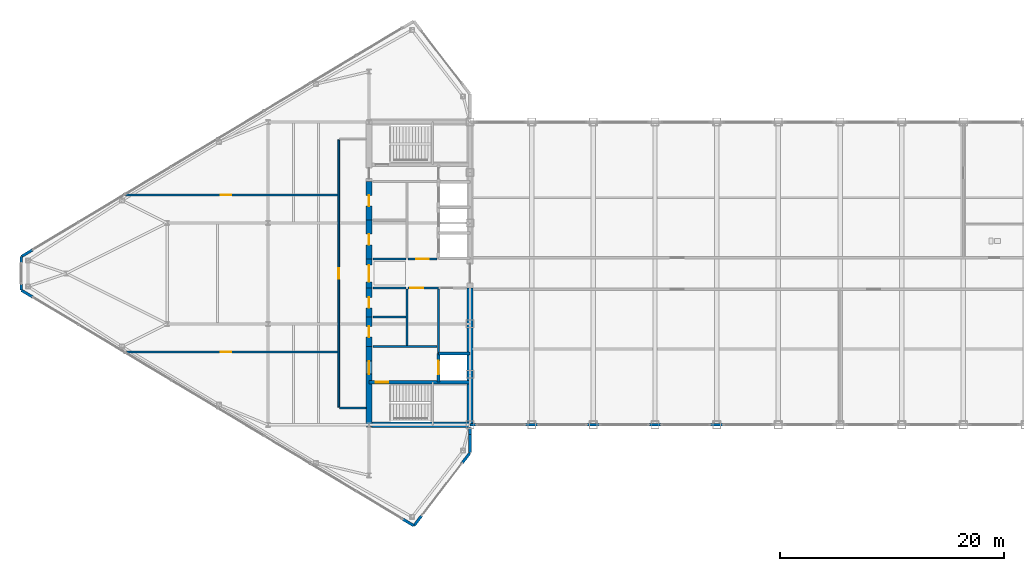
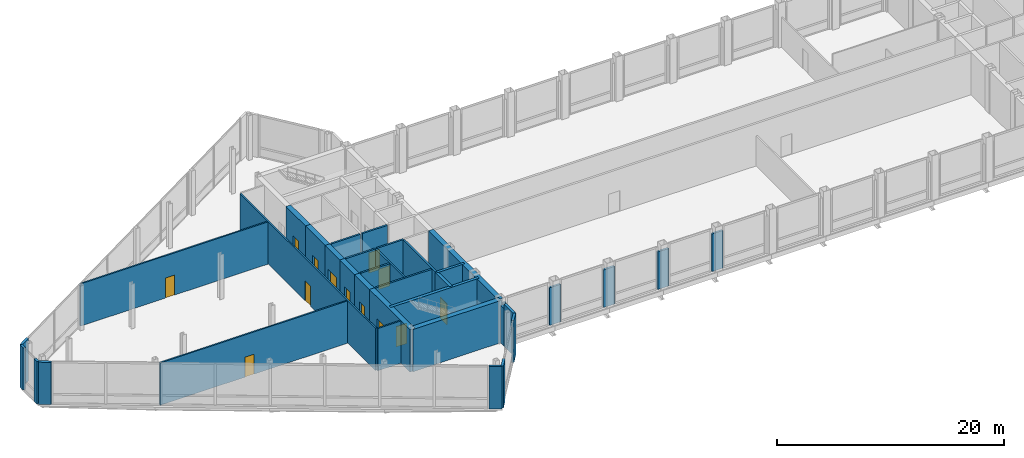
# One storey, part 22 of 29: 37 walls, 13 doors, 13 openings.
"""IFC4 building model written with IfcOpenShell, lengths in metres."""

from ifc_helpers import new_model, si_unit, direction, frame, frame_2d, origin, place, context, subcontext, project, spatial, rectangle, extrude, source, transform, mapped, material, layer, layer_set, type_object, type_shapes, element, fill, save


model = new_model("IFC4")

# Units and contexts
model_context = context("Model", 3, precision=1e-05, world=origin(), true_north=direction((0.0, 1.0)))
body_context = subcontext(model_context, "Body", "Model", "MODEL_VIEW")
ifc_project = project(units=[si_unit("LENGTHUNIT", "METRE"), si_unit("AREAUNIT", "SQUARE_METRE"), si_unit("VOLUMEUNIT", "CUBIC_METRE"), si_unit("PLANEANGLEUNIT", "RADIAN"), si_unit("MASSUNIT", "GRAM", prefix="KILO")], contexts=[model_context])

# Site, building, storey
site_placement = place(None, origin())
site = spatial("IfcSite", under=ifc_project, at=site_placement, CompositionType="ELEMENT")
building_placement = place(site_placement, origin())
building = spatial("IfcBuilding", under=site, at=building_placement, Name="Seokmaru Belvedere", CompositionType="ELEMENT")
storey_placement = place(building_placement, frame((0.0, 0.0, 269.39990234375)))
storey = spatial("IfcBuildingStorey", under=building, at=storey_placement, Name="L71", CompositionType="ELEMENT", Elevation=269.39990234375)

# Wall
ifc_material_1 = material(Name="Fire-Rated Gypsum Shaftwall")
ifc_layer_1 = layer(ifc_material_1, 0.14990234375)
ifc_layer_set_1 = layer_set([ifc_layer_1], Name="Fire-Rated Gypsum Shaftwall")
wall_type_1 = type_object("IfcWallType", Name="Apartment Fire-Acoustic Room Partition 150", PredefinedType="PARTITIONING", material=ifc_layer_set_1)
wall_1_placement = place(storey_placement, frame((-39.114990234375, -12.0, 0.0), z_axis=(0.0, 0.0, 1.0), x_axis=(1.0, 0.0, 0.0)))
element("IfcWall", 1, at=wall_1_placement, inside=storey, type_object=wall_type_1, Name="L71 Interior Partition 001", PredefinedType="PARTITIONING", context=body_context, shape_type="SweptSolid", body=[
    extrude(rectangle(XDim=2.360107421875, YDim=0.14990234375, at=frame_2d((1.18017578125, 0.0))), origin(), (0.0, 0.0, 1.0), 4.5400390625),
])

# Wall, opening, door
wall_2_placement = place(storey_placement, frame((-58.343017578125, -7.0, 0.0), z_axis=(0.0, 0.0, 1.0), x_axis=(1.0, 0.0, 0.0)))
wall_2 = element("IfcWall", 2, at=wall_2_placement, inside=storey, type_object=wall_type_1, Name="L71 Interior Partition 003", PredefinedType="PARTITIONING", context=body_context, shape_type="SweptSolid", body=[
    extrude(rectangle(XDim=19.05810546875, YDim=0.14990234375, at=frame_2d((9.529052734375, 0.0))), origin(), (0.0, 0.0, 1.0), 4.5400390625),
])
opening_1_placement = place(wall_2_placement, frame((8.617919921875, 0.0, 0.0)))
opening_1 = element("IfcOpeningElement", 3, at=opening_1_placement, cuts=wall_2, Name="Opening D05", PredefinedType="OPENING", context=body_context, shape_type="SweptSolid", body=[
    extrude(rectangle(XDim=0.949951171875, YDim=2.14990234375, at=frame_2d((0.47509765625, 1.074951171875))), frame((0.0, 0.0849609375, 0.0), z_axis=(0.0, -1.0, 0.0), x_axis=(1.0, 0.0, 0.0)), (0.0, 0.0, 1.0), 0.169921875),
])
ifc_material_2 = material(Name="Engineered White Oak Timber", Category="wood")
door_type_1 = type_object("IfcDoorType", Name="Apartment Interior Fire-Rated Oak Door 950x2150", OperationType="NOTDEFINED", PredefinedType="DOOR", material=ifc_material_2)
shared_shape_1 = source(origin(), body_context, "Body", "SweptSolid", [
    extrude(rectangle(XDim=0.949951171875, YDim=2.14990234375, at=frame_2d((0.47509765625, 1.074951171875))), frame((0.0, 0.02490234375, 0.0), z_axis=(0.0, -1.0, 0.0), x_axis=(1.0, 0.0, 0.0)), (0.0, 0.0, 1.0), 0.050048828125),
])
type_shapes(door_type_1, [shared_shape_1])
door_1_placement = place(opening_1_placement, origin())
door_1 = element("IfcDoor", 4, at=door_1_placement, inside=storey, type_object=door_type_1, Name="L71 Interior Door 002", OperationType="SINGLE_SWING_RIGHT", OverallHeight=2.14990234375, OverallWidth=0.949951171875, PredefinedType="DOOR", context=body_context, shape_type="MappedRepresentation", body=[
    mapped(shared_shape_1, transform((0.0, 0.0, 0.0), scale=1.0)),
])
fill(opening_1, door_1)

wall_3_placement = place(storey_placement, frame((-58.343017578125, 7.0, 0.0), z_axis=(0.0, 0.0, 1.0), x_axis=(1.0, 0.0, 0.0)))
wall_3 = element("IfcWall", 5, at=wall_3_placement, inside=storey, type_object=wall_type_1, Name="L71 Interior Partition 008", PredefinedType="PARTITIONING", context=body_context, shape_type="SweptSolid", body=[
    extrude(rectangle(XDim=19.05810546875, YDim=0.14990234375, at=frame_2d((9.529052734375, 0.0))), origin(), (0.0, 0.0, 1.0), 4.5400390625),
])
opening_2_placement = place(wall_3_placement, frame((8.617919921875, 0.0, 0.0)))
opening_2 = element("IfcOpeningElement", 6, at=opening_2_placement, cuts=wall_3, Name="Opening D05", PredefinedType="OPENING", context=body_context, shape_type="SweptSolid", body=[
    extrude(rectangle(XDim=0.949951171875, YDim=2.14990234375, at=frame_2d((0.47509765625, 1.074951171875))), frame((0.0, 0.0849609375, 0.0), z_axis=(0.0, -1.0, 0.0), x_axis=(1.0, 0.0, 0.0)), (0.0, 0.0, 1.0), 0.169921875),
])
door_2_placement = place(opening_2_placement, origin())
door_2 = element("IfcDoor", 7, at=door_2_placement, inside=storey, type_object=door_type_1, Name="L71 Interior Door 003", OperationType="SINGLE_SWING_LEFT", OverallHeight=2.14990234375, OverallWidth=0.949951171875, PredefinedType="DOOR", context=body_context, shape_type="MappedRepresentation", body=[
    mapped(shared_shape_1, transform((0.0, 0.0, 0.0), scale=1.0)),
])
fill(opening_2, door_2)

wall_4_placement = place(storey_placement, frame((-39.199951171875, -11.9150390625, 0.0), z_axis=(0.0, 0.0, 1.0), x_axis=(0.0, 1.0, 0.0)))
wall_4 = element("IfcWall", 8, at=wall_4_placement, inside=storey, type_object=wall_type_1, Name="L71 Interior Partition 012", PredefinedType="PARTITIONING", context=body_context, shape_type="SweptSolid", body=[
    extrude(rectangle(XDim=23.830078125, YDim=0.14990234375, at=frame_2d((11.9150390625, 0.0))), origin(), (0.0, 0.0, 1.0), 4.5400390625),
])
opening_3_placement = place(wall_4_placement, frame((11.43994140625, 0.0, 0.0)))
opening_3 = element("IfcOpeningElement", 9, at=opening_3_placement, cuts=wall_4, Name="Opening D05", PredefinedType="OPENING", context=body_context, shape_type="SweptSolid", body=[
    extrude(rectangle(XDim=0.949951171875, YDim=2.14990234375, at=frame_2d((0.47509765625, 1.074951171875))), frame((0.0, 0.0849609375, 0.0), z_axis=(0.0, -1.0, 0.0), x_axis=(1.0, 0.0, 0.0)), (0.0, 0.0, 1.0), 0.169921875),
])
door_3_placement = place(opening_3_placement, origin())
door_3 = element("IfcDoor", 10, at=door_3_placement, inside=storey, type_object=door_type_1, Name="L71 Interior Door 001", OperationType="SINGLE_SWING_LEFT", OverallHeight=2.14990234375, OverallWidth=0.949951171875, PredefinedType="DOOR", context=body_context, shape_type="MappedRepresentation", body=[
    mapped(shared_shape_1, transform((0.0, 0.0, 0.0), scale=1.0)),
])
fill(opening_3, door_3)

# Walls
ifc_material_3 = material(Name="Anodised Bronze Aluminium", Category="aluminium")
ifc_layer_2 = layer(ifc_material_3, 0.2099609375)
ifc_layer_set_2 = layer_set([ifc_layer_2], Name="Anodised Bronze Aluminium")
wall_type_2 = type_object("IfcWallType", Name="Bridge Column Spandrel Closure Pier 210", PredefinedType="SOLIDWALL", material=ifc_layer_set_2)
wall_5_placement = place(storey_placement, frame((-27.489990234375, -13.5, 0.0), z_axis=(0.0, 0.0, 1.0), x_axis=(1.0, 0.0, 0.0)))
element("IfcWall", 11, at=wall_5_placement, inside=storey, type_object=wall_type_2, Name="L71 Bridge South Column Closure Pier 01", PredefinedType="SOLIDWALL", context=body_context, shape_type="SweptSolid", body=[
    extrude(rectangle(XDim=0.5400390625, YDim=0.2099609375, at=frame_2d((0.27001953125, 0.0))), origin(), (0.0, 0.0, 1.0), 4.0400390625),
])
for number, where, z_axis, x_axis, name in (
    (12, (-22.550048828125, -13.5, 0.0), (0.0, 0.0, 1.0), (1.0, 0.0, 0.0), "L71 Bridge South Column Closure Pier 02"),
    (13, (-17.050048828125, -13.5, 0.0), (0.0, 0.0, 1.0), (1.0, 0.0, 0.0), "L71 Bridge South Column Closure Pier 03"),
    (14, (-11.550048828125, -13.5, 0.0), (0.0, 0.0, 1.0), (1.0, 0.0, 0.0), "L71 Bridge South Column Closure Pier 04"),
    (15, (-6.050048828125, -13.5, 0.0), (0.0, 0.0, 1.0), (1.0, 0.0, 0.0), "L71 Bridge South Column Closure Pier 05"),
):
    element("IfcWall", number, at=place(storey_placement, frame(where, z_axis=z_axis, x_axis=x_axis)), inside=storey, type_object=wall_type_2, Name=name, PredefinedType="SOLIDWALL", context=body_context, shape_type="SweptSolid", body=[
        extrude(rectangle(XDim=1.10009765625, YDim=0.2099609375, at=frame_2d((0.550048828125, 0.0))), origin(), (0.0, 0.0, 1.0), 4.0400390625),
    ])
ifc_layer_3 = layer(ifc_material_1, 0.179931640625)
ifc_layer_set_3 = layer_set([ifc_layer_3], Name="Fire-Rated Gypsum Shaftwall")
wall_type_3 = type_object("IfcWallType", Name="Core Service Fire Partition 180", PredefinedType="PARTITIONING", material=ifc_layer_set_3)
wall_6_placement = place(storey_placement, frame((-36.14990234375, -6.5, 0.0), z_axis=(0.0, 0.0, 1.0), x_axis=(1.0, 0.0, 0.0)))
element("IfcWall", 16, at=wall_6_placement, inside=storey, type_object=wall_type_3, Name="L71 West Firefighting Lobby Partition", PredefinedType="PARTITIONING", context=body_context, shape_type="SweptSolid", body=[
    extrude(rectangle(XDim=5.699951171875, YDim=0.179931640625, at=frame_2d((2.85009765625, 0.0))), origin(), (0.0, 0.0, 1.0), 4.5400390625),
])
wall_7_placement = place(storey_placement, frame((-33.10009765625, -6.419921875, 0.0), z_axis=(0.0, 0.0, 1.0), x_axis=(0.0, 1.0, 0.0)))
element("IfcWall", 17, at=wall_7_placement, inside=storey, type_object=wall_type_3, Name="L71 West South Core Service Back Wall", PredefinedType="PARTITIONING", context=body_context, shape_type="SweptSolid", body=[
    extrude(rectangle(XDim=5.0400390625, YDim=0.179931640625, at=frame_2d((2.52001953125, 0.0))), origin(), (0.0, 0.0, 1.0), 4.5400390625),
])

# Wall, opening, door
wall_8_placement = place(storey_placement, frame((-33.02001953125, -1.300048828125, 0.0), z_axis=(0.0, 0.0, 1.0), x_axis=(1.0, 0.0, 0.0)))
wall_8 = element("IfcWall", 18, at=wall_8_placement, inside=storey, type_object=wall_type_3, Name="L71 West South Wine Cellar Foyer Wall", PredefinedType="PARTITIONING", context=body_context, shape_type="SweptSolid", body=[
    extrude(rectangle(XDim=2.719970703125, YDim=0.179931640625, at=frame_2d((1.35986328125, 0.0))), origin(), (0.0, 0.0, 1.0), 4.5400390625),
])
opening_4_placement = place(wall_8_placement, frame((0.2099609375, 0.0, 0.0)))
opening_4 = element("IfcOpeningElement", 19, at=opening_4_placement, cuts=wall_8, Name="Opening D02", PredefinedType="OPENING", context=body_context, shape_type="SweptSolid", body=[
    extrude(rectangle(XDim=1.14990234375, YDim=2.199951171875, at=frame_2d((0.574951171875, 1.10009765625))), frame((0.0, 0.10009765625, 0.0), z_axis=(0.0, -1.0, 0.0), x_axis=(1.0, 0.0, 0.0)), (0.0, 0.0, 1.0), 0.199951171875),
])
ifc_material_4 = material(Name="Fire-Rated Steel Leaf", Category="steel")
door_type_2 = type_object("IfcDoorType", Name="Lobby and Vestibule Fire Door 1150x2200", OperationType="NOTDEFINED", PredefinedType="DOOR", material=ifc_material_4)
shared_shape_2 = source(origin(), body_context, "Body", "SweptSolid", [
    extrude(rectangle(XDim=1.14990234375, YDim=2.199951171875, at=frame_2d((0.574951171875, 1.10009765625))), frame((0.0, 0.02490234375, 0.0), z_axis=(0.0, -1.0, 0.0), x_axis=(1.0, 0.0, 0.0)), (0.0, 0.0, 1.0), 0.050048828125),
])
type_shapes(door_type_2, [shared_shape_2])
door_4_placement = place(opening_4_placement, origin())
door_4 = element("IfcDoor", 20, at=door_4_placement, inside=storey, type_object=door_type_2, Name="L71 West South Core Foyer Door", OperationType="SINGLE_SWING_LEFT", OverallHeight=2.199951171875, OverallWidth=1.14990234375, PredefinedType="DOOR", context=body_context, shape_type="MappedRepresentation", body=[
    mapped(shared_shape_2, transform((0.0, 0.0, 0.0), scale=1.0)),
])
fill(opening_4, door_4)

# Wall
wall_9_placement = place(storey_placement, frame((-30.300048828125, -7.1201171875, 0.0), z_axis=(0.0, 0.0, 1.0), x_axis=(0.0, 1.0, 0.0)))
element("IfcWall", 21, at=wall_9_placement, inside=storey, type_object=wall_type_3, Name="L71 West Freed Shaft Vault Partition", PredefinedType="PARTITIONING", context=body_context, shape_type="SweptSolid", body=[
    extrude(rectangle(XDim=5.740234375, YDim=0.179931640625, at=frame_2d((2.8701171875, 0.0))), origin(), (0.0, 0.0, 1.0), 4.5400390625),
])

# Wall, opening, door
wall_10_placement = place(storey_placement, frame((-33.02001953125, 1.300048828125, 0.0), z_axis=(0.0, 0.0, 1.0), x_axis=(1.0, 0.0, 0.0)))
wall_10 = element("IfcWall", 22, at=wall_10_placement, inside=storey, type_object=wall_type_3, Name="L71 West North Lift Lobby Foyer Wall", PredefinedType="PARTITIONING", context=body_context, shape_type="SweptSolid", body=[
    extrude(rectangle(XDim=2.570068359375, YDim=0.179931640625, at=frame_2d((1.28515625, 0.0))), origin(), (0.0, 0.0, 1.0), 4.5400390625),
])
opening_5_placement = place(wall_10_placement, frame((0.7099609375, 0.0, 0.0)))
opening_5 = element("IfcOpeningElement", 23, at=opening_5_placement, cuts=wall_10, Name="Opening D02", PredefinedType="OPENING", context=body_context, shape_type="SweptSolid", body=[
    extrude(rectangle(XDim=1.14990234375, YDim=2.199951171875, at=frame_2d((0.574951171875, 1.10009765625))), frame((0.0, 0.10009765625, 0.0), z_axis=(0.0, -1.0, 0.0), x_axis=(1.0, 0.0, 0.0)), (0.0, 0.0, 1.0), 0.199951171875),
])
door_5_placement = place(opening_5_placement, origin())
door_5 = element("IfcDoor", 24, at=door_5_placement, inside=storey, type_object=door_type_2, Name="L71 West North Lift Lobby Door", OperationType="SINGLE_SWING_RIGHT", OverallHeight=2.199951171875, OverallWidth=1.14990234375, PredefinedType="DOOR", context=body_context, shape_type="MappedRepresentation", body=[
    mapped(shared_shape_2, transform((0.0, 0.0, 0.0), scale=1.0)),
])
fill(opening_5, door_5)

# Walls
for number, where, z_axis, x_axis, name in (
    (25, (-36.14990234375, -1.300048828125, 0.0), (0.0, 0.0, 1.0), (1.0, 0.0, 0.0), "L71 West Foyer Side Wall S"),
    (26, (-36.14990234375, 1.300048828125, 0.0), (0.0, 0.0, 1.0), (1.0, 0.0, 0.0), "L71 West Foyer Side Wall N"),
    (27, (-36.14990234375, -3.89990234375, 0.0), (0.0, 0.0, 1.0), (1.0, 0.0, 0.0), "L71 West Core Service Partition 1"),
):
    element("IfcWall", number, at=place(storey_placement, frame(where, z_axis=z_axis, x_axis=x_axis)), inside=storey, type_object=wall_type_3, Name=name, PredefinedType="PARTITIONING", context=body_context, shape_type="SweptSolid", body=[
        extrude(rectangle(XDim=2.949951171875, YDim=0.179931640625, at=frame_2d((1.47509765625, 0.0))), origin(), (0.0, 0.0, 1.0), 4.5400390625),
    ])
ifc_material_5 = material(Name="Concrete C50 (50 MPa)", Category="concrete")
ifc_layer_4 = layer(ifc_material_5, 0.25)
ifc_layer_set_4 = layer_set([ifc_layer_4], Name="Concrete C50 (50 MPa)")
wall_type_4 = type_object("IfcWallType", Name="Hoistway Transverse Concrete Divider Wall 250", PredefinedType="SHEAR", material=ifc_layer_set_4)
wall_11_placement = place(storey_placement, frame((-30.300048828125, -7.14990234375, 0.0), z_axis=(0.0, 0.0, 1.0), x_axis=(1.0, 0.0, 0.0)))
element("IfcWall", 28, at=wall_11_placement, inside=storey, type_object=wall_type_4, Name="L71 West Hoistway Divider Core Wall 1", PredefinedType="SHEAR", context=body_context, shape_type="SweptSolid", body=[
    extrude(rectangle(XDim=2.800048828125, YDim=0.25, at=frame_2d((1.39990234375, 0.0))), origin(), (0.0, 0.0, 1.0), 4.5400390625),
])

# Wall, opening, door
ifc_layer_5 = layer(ifc_material_5, 0.300048828125)
ifc_layer_set_5 = layer_set([ifc_layer_5], Name="Concrete C50 (50 MPa)")
wall_type_5 = type_object("IfcWallType", Name="Internal Core Stair and Hoistway Wall 300", PredefinedType="SHEAR", material=ifc_layer_set_5)
wall_12_placement = place(storey_placement, frame((-36.5, -9.699951171875, 0.0), z_axis=(0.0, 0.0, 1.0), x_axis=(1.0, 0.0, 0.0)))
wall_12 = element("IfcWall", 29, at=wall_12_placement, inside=storey, type_object=wall_type_5, Name="L71 West Stair ST-1 Enclosure Wall", PredefinedType="SHEAR", context=body_context, shape_type="SweptSolid", body=[
    extrude(rectangle(XDim=9.0, YDim=0.300048828125, at=frame_2d((4.5, 0.0))), origin(), (0.0, 0.0, 1.0), 4.5400390625),
])
opening_6_placement = place(wall_12_placement, frame((0.60009765625, 0.0, 0.0)))
opening_6 = element("IfcOpeningElement", 30, at=opening_6_placement, cuts=wall_12, Name="Opening D01", PredefinedType="OPENING", context=body_context, shape_type="SweptSolid", body=[
    extrude(rectangle(XDim=1.10009765625, YDim=2.199951171875, at=frame_2d((0.550048828125, 1.10009765625))), frame((0.0, 0.16015625, 0.0), z_axis=(0.0, -1.0, 0.0), x_axis=(1.0, 0.0, 0.0)), (0.0, 0.0, 1.0), 0.320068359375),
])
door_type_3 = type_object("IfcDoorType", Name="Special Escape Stair Smokeproof Fire Door 1100x2200", OperationType="NOTDEFINED", PredefinedType="DOOR", material=ifc_material_4)
shared_shape_3 = source(origin(), body_context, "Body", "SweptSolid", [
    extrude(rectangle(XDim=1.10009765625, YDim=2.199951171875, at=frame_2d((0.550048828125, 1.10009765625))), frame((0.0, 0.02490234375, 0.0), z_axis=(0.0, -1.0, 0.0), x_axis=(1.0, 0.0, 0.0)), (0.0, 0.0, 1.0), 0.050048828125),
])
type_shapes(door_type_3, [shared_shape_3])
door_6_placement = place(opening_6_placement, frame((1.10009765625, 0.0, 0.0), z_axis=(0.0, 0.0, 1.0), x_axis=(-1.0, 0.0, 0.0)))
door_6 = element("IfcDoor", 31, at=door_6_placement, inside=storey, type_object=door_type_3, Name="L71 West Special Escape Stair ST-1 Door", OperationType="SINGLE_SWING_LEFT", OverallHeight=2.199951171875, OverallWidth=1.10009765625, PredefinedType="DOOR", context=body_context, shape_type="MappedRepresentation", body=[
    mapped(shared_shape_3, transform((0.0, 0.0, 0.0), scale=1.0)),
])
fill(opening_6, door_6)

wall_13_placement = place(storey_placement, frame((-30.300048828125, -9.679931640625, 0.0), z_axis=(0.0, 0.0, 1.0), x_axis=(0.0, 1.0, 0.0)))
wall_13 = element("IfcWall", 32, at=wall_13_placement, inside=storey, type_object=wall_type_5, Name="L71 West Firefighting Lift Shaft Front Wall", PredefinedType="SHEAR", context=body_context, shape_type="SweptSolid", body=[
    extrude(rectangle(XDim=2.559814453125, YDim=0.300048828125, at=frame_2d((1.27978515625, 0.0))), origin(), (0.0, 0.0, 1.0), 4.5400390625),
])
opening_7_placement = place(wall_13_placement, frame((0.679931640625, 0.0, 0.0)))
opening_7 = element("IfcOpeningElement", 33, at=opening_7_placement, cuts=wall_13, Name="Opening LD2", PredefinedType="OPENING", context=body_context, shape_type="SweptSolid", body=[
    extrude(rectangle(XDim=1.199951171875, YDim=2.25, at=frame_2d((0.60009765625, 1.125))), frame((0.0, 0.16015625, 0.0), z_axis=(0.0, -1.0, 0.0), x_axis=(1.0, 0.0, 0.0)), (0.0, 0.0, 1.0), 0.320068359375),
])
ifc_material_6 = material(Name="Stainless Steel 316", Category="steel")
door_type_4 = type_object("IfcDoorType", Name="Firefighting Lift Sliding Landing Door 1200x2250", OperationType="DOUBLE_DOOR_SLIDING", PredefinedType="DOOR", material=ifc_material_6)
shared_shape_4 = source(origin(), body_context, "Body", "SweptSolid", [
    extrude(rectangle(XDim=1.199951171875, YDim=2.25, at=frame_2d((0.60009765625, 1.125))), frame((0.0, 0.02490234375, 0.0), z_axis=(0.0, -1.0, 0.0), x_axis=(1.0, 0.0, 0.0)), (0.0, 0.0, 1.0), 0.050048828125),
])
type_shapes(door_type_4, [shared_shape_4])
door_7_placement = place(opening_7_placement, origin())
door_7 = element("IfcDoor", 34, at=door_7_placement, inside=storey, type_object=door_type_4, Name="L71 West Firefighting Lift Landing Door", OperationType="DOUBLE_DOOR_SLIDING", OverallHeight=2.25, OverallWidth=1.199951171875, PredefinedType="DOOR", context=body_context, shape_type="MappedRepresentation", body=[
    mapped(shared_shape_4, transform((0.0, 0.0, 0.0), scale=1.0)),
])
fill(opening_7, door_7)

# Walls
ifc_layer_6 = layer(ifc_material_3, 0.239990234375)
ifc_layer_set_6 = layer_set([ifc_layer_6], Name="Anodised Bronze Aluminium")
wall_type_6 = type_object("IfcWallType", Name="Tower Corner Spandrel Closure Wall 240", PredefinedType="SOLIDWALL", material=ifc_layer_set_6)
wall_14_placement = place(storey_placement, frame((-27.5, -15.97998046875, 0.0), z_axis=(0.0, 0.0, 1.0), x_axis=(0.0, 1.0, 0.0)))
element("IfcWall", 35, at=wall_14_placement, inside=storey, type_object=wall_type_6, Name="L71 W Shoulder Closure Wall 1", PredefinedType="SOLIDWALL", context=body_context, shape_type="SweptSolid", body=[
    extrude(rectangle(XDim=1.605224609375, YDim=0.239990234375, at=frame_2d((0.802734375, 0.0))), origin(), (0.0, 0.0, 1.0), 4.5400390625),
])
wall_15_placement = place(storey_placement, frame((-27.5, -14.374755859375, 0.0), z_axis=(0.0, 0.0, 1.0), x_axis=(0.0, 1.0, 0.0)))
element("IfcWall", 36, at=wall_15_placement, inside=storey, type_object=wall_type_6, Name="L71 W Shoulder Closure Wall 1 Part 2", PredefinedType="SOLIDWALL", context=body_context, shape_type="SweptSolid", body=[
    extrude(rectangle(XDim=0.619873046875, YDim=0.239990234375, at=frame_2d((0.31005859375, 0.0))), origin(), (0.0, 0.0, 1.0), 4.0400390625),
])
wall_16_placement = place(storey_placement, frame((-66.513916015625, 2.091796875, 0.0), z_axis=(0.0, 0.0, 1.0), x_axis=(-0.85743623509, -0.514590228002, 0.0)))
element("IfcWall", 37, at=wall_16_placement, inside=storey, type_object=wall_type_6, Name="L71 W Corner Closure Pier 3B", PredefinedType="SOLIDWALL", context=body_context, shape_type="SweptSolid", body=[
    extrude(rectangle(XDim=1.14013671875, YDim=0.239990234375, at=frame_2d((0.570068359375, 0.0))), origin(), (0.0, 0.0, 1.0), 4.5400390625),
])
for number, where, z_axis, x_axis, name in (
    (38, (-67.5, 1.489990234375, 0.0), (0.0, 0.0, 1.0), (0.0, -1.0, 0.0), "L71 W Apex Closure Pier 4A"),
    (39, (-67.5, -0.949951171875, 0.0), (0.0, 0.0, 1.0), (0.0, -1.0, 0.0), "L71 W Apex Closure Pier 4B"),
):
    element("IfcWall", number, at=place(storey_placement, frame(where, z_axis=z_axis, x_axis=x_axis)), inside=storey, type_object=wall_type_6, Name=name, PredefinedType="SOLIDWALL", context=body_context, shape_type="SweptSolid", body=[
        extrude(rectangle(XDim=0.5400390625, YDim=0.239990234375, at=frame_2d((0.27001953125, 0.0))), origin(), (0.0, 0.0, 1.0), 4.5400390625),
    ])
for number, where, z_axis, x_axis, name in (
    (40, (-67.491455078125, -1.505126953125, 0.0), (0.0, 0.0, 1.0), (0.85743623509, -0.514590228002, 0.0), "L71 W Corner Closure Pier 5A"),
    (41, (-33.486083984375, -21.908203125, 0.0), (0.0, 0.0, 1.0), (0.85743623509, -0.514590228002, 0.0), "L71 W Corner Closure Pier 5B"),
    (42, (-32.493896484375, -22.4921875, 0.0), (0.0, 0.0, 1.0), (0.609617623633, 0.792695624408, 0.0), "L71 W Corner Closure Pier 6A"),
    (43, (-28.201171875, -16.91162109375, 0.0), (0.0, 0.0, 1.0), (0.609617623633, 0.792695624408, 0.0), "L71 W Corner Closure Pier 6B"),
):
    element("IfcWall", number, at=place(storey_placement, frame(where, z_axis=z_axis, x_axis=x_axis)), inside=storey, type_object=wall_type_6, Name=name, PredefinedType="SOLIDWALL", context=body_context, shape_type="SweptSolid", body=[
        extrude(rectangle(XDim=1.14013671875, YDim=0.239990234375, at=frame_2d((0.570068359375, 0.0))), origin(), (0.0, 0.0, 1.0), 4.5400390625),
    ])
ifc_layer_7 = layer(ifc_material_5, 0.5)
ifc_layer_set_7 = layer_set([ifc_layer_7], Name="Concrete C50 (50 MPa)")
wall_type_7 = type_object("IfcWallType", Name="Upper Tower Reinforced Concrete Core Wall 500", PredefinedType="SHEAR", material=ifc_layer_set_7)
wall_17_placement = place(storey_placement, frame((-27.5, -13.5, 0.0), z_axis=(0.0, 0.0, 1.0), x_axis=(0.0, 1.0, 0.0)))
element("IfcWall", 44, at=wall_17_placement, inside=storey, type_object=wall_type_7, Name="L71 West Portal Spine Core Wall South", PredefinedType="SHEAR", context=body_context, shape_type="SweptSolid", body=[
    extrude(rectangle(XDim=12.199951171875, YDim=0.5, at=frame_2d((6.10009765625, 0.0))), origin(), (0.0, 0.0, 1.0), 4.5400390625),
])
wall_18_placement = place(storey_placement, frame((-36.5, -13.5, 0.0), z_axis=(0.0, 0.0, 1.0), x_axis=(1.0, 0.0, 0.0)))
element("IfcWall", 45, at=wall_18_placement, inside=storey, type_object=wall_type_7, Name="L71 West South Core Wall", PredefinedType="SHEAR", context=body_context, shape_type="SweptSolid", body=[
    extrude(rectangle(XDim=9.0, YDim=0.5, at=frame_2d((4.5, 0.0))), origin(), (0.0, 0.0, 1.0), 4.5400390625),
])

# Wall, opening, door
wall_19_placement = place(storey_placement, frame((-36.5, -13.64990234375, 0.0), z_axis=(0.0, 0.0, 1.0), x_axis=(0.0, 1.0, 0.0)))
wall_19 = element("IfcWall", 46, at=wall_19_placement, inside=storey, type_object=wall_type_7, Name="L71 West West Core Wall FF", PredefinedType="SHEAR", context=body_context, shape_type="SweptSolid", body=[
    extrude(rectangle(XDim=7.14990234375, YDim=0.5, at=frame_2d((3.574951171875, 0.0))), origin(), (0.0, 0.0, 1.0), 4.5400390625),
])
opening_8_placement = place(wall_19_placement, frame((4.675048828125, 0.0, 0.0)))
opening_8 = element("IfcOpeningElement", 47, at=opening_8_placement, cuts=wall_19, Name="Opening D02", PredefinedType="OPENING", context=body_context, shape_type="SweptSolid", body=[
    extrude(rectangle(XDim=1.14990234375, YDim=2.199951171875, at=frame_2d((0.574951171875, 1.10009765625))), frame((0.0, 0.260009765625, 0.0), z_axis=(0.0, -1.0, 0.0), x_axis=(1.0, 0.0, 0.0)), (0.0, 0.0, 1.0), 0.52001953125),
])
door_8_placement = place(opening_8_placement, frame((1.14990234375, 0.0, 0.0), z_axis=(0.0, 0.0, 1.0), x_axis=(-1.0, 0.0, 0.0)))
door_8 = element("IfcDoor", 48, at=door_8_placement, inside=storey, type_object=door_type_2, Name="L71 West Firefighting Lobby Door", OperationType="SINGLE_SWING_LEFT", OverallHeight=2.199951171875, OverallWidth=1.14990234375, PredefinedType="DOOR", context=body_context, shape_type="MappedRepresentation", body=[
    mapped(shared_shape_2, transform((0.0, 0.0, 0.0), scale=1.0)),
])
fill(opening_8, door_8)

wall_20_placement = place(storey_placement, frame((-36.5, -1.300048828125, 0.0), z_axis=(0.0, 0.0, 1.0), x_axis=(0.0, 1.0, 0.0)))
wall_20 = element("IfcWall", 49, at=wall_20_placement, inside=storey, type_object=wall_type_7, Name="L71 West West Core Wall FOY", PredefinedType="SHEAR", context=body_context, shape_type="SweptSolid", body=[
    extrude(rectangle(XDim=2.60009765625, YDim=0.5, at=frame_2d((1.300048828125, 0.0))), origin(), (0.0, 0.0, 1.0), 4.5400390625),
])
opening_9_placement = place(wall_20_placement, frame((0.550048828125, 0.0, 0.0)))
opening_9 = element("IfcOpeningElement", 50, at=opening_9_placement, cuts=wall_20, Name="Opening D08", PredefinedType="OPENING", context=body_context, shape_type="SweptSolid", body=[
    extrude(rectangle(XDim=1.5, YDim=2.300048828125, at=frame_2d((0.75, 1.14990234375))), frame((0.0, 0.260009765625, 0.0), z_axis=(0.0, -1.0, 0.0), x_axis=(1.0, 0.0, 0.0)), (0.0, 0.0, 1.0), 0.52001953125),
])
door_type_5 = type_object("IfcDoorType", Name="Cross-Corridor Compartment Double Fire Door 1500x2300", OperationType="DOUBLE_SWING_LEFT", PredefinedType="DOOR", material=ifc_material_4)
shared_shape_5 = source(origin(), body_context, "Body", "SweptSolid", [
    extrude(rectangle(XDim=1.5, YDim=2.300048828125, at=frame_2d((0.75, 1.14990234375))), frame((0.0, 0.02490234375, 0.0), z_axis=(0.0, -1.0, 0.0), x_axis=(1.0, 0.0, 0.0)), (0.0, 0.0, 1.0), 0.050048828125),
])
type_shapes(door_type_5, [shared_shape_5])
door_9_placement = place(opening_9_placement, origin())
door_9 = element("IfcDoor", 51, at=door_9_placement, inside=storey, type_object=door_type_5, Name="L71 West Core Foyer Compartment Door", OperationType="DOUBLE_SWING_LEFT", OverallHeight=2.300048828125, OverallWidth=1.5, PredefinedType="DOOR", context=body_context, shape_type="MappedRepresentation", body=[
    mapped(shared_shape_5, transform((0.0, 0.0, 0.0), scale=1.0)),
])
fill(opening_9, door_9)

wall_21_placement = place(storey_placement, frame((-36.5, -6.5, 0.0), z_axis=(0.0, 0.0, 1.0), x_axis=(0.0, 1.0, 0.0)))
wall_21 = element("IfcWall", 52, at=wall_21_placement, inside=storey, type_object=wall_type_7, Name="L71 West West Core Wall CS1", PredefinedType="SHEAR", context=body_context, shape_type="SweptSolid", body=[
    extrude(rectangle(XDim=2.60009765625, YDim=0.5, at=frame_2d((1.300048828125, 0.0))), origin(), (0.0, 0.0, 1.0), 4.5400390625),
])
opening_10_placement = place(wall_21_placement, frame((0.824951171875, 0.0, 0.0)))
opening_10 = element("IfcOpeningElement", 53, at=opening_10_placement, cuts=wall_21, Name="Opening D04", PredefinedType="OPENING", context=body_context, shape_type="SweptSolid", body=[
    extrude(rectangle(XDim=0.949951171875, YDim=2.14990234375, at=frame_2d((0.47509765625, 1.074951171875))), frame((0.0, 0.260009765625, 0.0), z_axis=(0.0, -1.0, 0.0), x_axis=(1.0, 0.0, 0.0)), (0.0, 0.0, 1.0), 0.52001953125),
])
door_type_6 = type_object("IfcDoorType", Name="Core Service Room Fire Door 950x2150", OperationType="NOTDEFINED", PredefinedType="DOOR", material=ifc_material_4)
shared_shape_6 = source(origin(), body_context, "Body", "SweptSolid", [
    extrude(rectangle(XDim=0.949951171875, YDim=2.14990234375, at=frame_2d((0.47509765625, 1.074951171875))), frame((0.0, 0.02490234375, 0.0), z_axis=(0.0, -1.0, 0.0), x_axis=(1.0, 0.0, 0.0)), (0.0, 0.0, 1.0), 0.050048828125),
])
type_shapes(door_type_6, [shared_shape_6])
door_10_placement = place(opening_10_placement, origin())
door_10 = element("IfcDoor", 54, at=door_10_placement, inside=storey, type_object=door_type_6, Name="L71 West Core Service Room Door 1", OperationType="SINGLE_SWING_LEFT", OverallHeight=2.14990234375, OverallWidth=0.949951171875, PredefinedType="DOOR", context=body_context, shape_type="MappedRepresentation", body=[
    mapped(shared_shape_6, transform((0.0, 0.0, 0.0), scale=1.0)),
])
fill(opening_10, door_10)

wall_22_placement = place(storey_placement, frame((-36.5, -3.89990234375, 0.0), z_axis=(0.0, 0.0, 1.0), x_axis=(0.0, 1.0, 0.0)))
wall_22 = element("IfcWall", 55, at=wall_22_placement, inside=storey, type_object=wall_type_7, Name="L71 West West Core Wall CS2", PredefinedType="SHEAR", context=body_context, shape_type="SweptSolid", body=[
    extrude(rectangle(XDim=2.599853515625, YDim=0.5, at=frame_2d((1.2998046875, 0.0))), origin(), (0.0, 0.0, 1.0), 4.5400390625),
])
opening_11_placement = place(wall_22_placement, frame((0.824951171875, 0.0, 0.0)))
opening_11 = element("IfcOpeningElement", 56, at=opening_11_placement, cuts=wall_22, Name="Opening D04", PredefinedType="OPENING", context=body_context, shape_type="SweptSolid", body=[
    extrude(rectangle(XDim=0.949951171875, YDim=2.14990234375, at=frame_2d((0.47509765625, 1.074951171875))), frame((0.0, 0.260009765625, 0.0), z_axis=(0.0, -1.0, 0.0), x_axis=(1.0, 0.0, 0.0)), (0.0, 0.0, 1.0), 0.52001953125),
])
door_11_placement = place(opening_11_placement, origin())
door_11 = element("IfcDoor", 57, at=door_11_placement, inside=storey, type_object=door_type_6, Name="L71 West Core Service Room Door 2", OperationType="SINGLE_SWING_RIGHT", OverallHeight=2.14990234375, OverallWidth=0.949951171875, PredefinedType="DOOR", context=body_context, shape_type="MappedRepresentation", body=[
    mapped(shared_shape_6, transform((0.0, 0.0, 0.0), scale=1.0)),
])
fill(opening_11, door_11)

wall_23_placement = place(storey_placement, frame((-36.5, 1.300048828125, 0.0), z_axis=(0.0, 0.0, 1.0), x_axis=(0.0, 1.0, 0.0)))
wall_23 = element("IfcWall", 58, at=wall_23_placement, inside=storey, type_object=wall_type_7, Name="L71 West West Core Wall CS3", PredefinedType="SHEAR", context=body_context, shape_type="SweptSolid", body=[
    extrude(rectangle(XDim=3.449951171875, YDim=0.5, at=frame_2d((1.72509765625, 0.0))), origin(), (0.0, 0.0, 1.0), 4.5400390625),
])
opening_12_placement = place(wall_23_placement, frame((1.25, 0.0, 0.0)))
opening_12 = element("IfcOpeningElement", 59, at=opening_12_placement, cuts=wall_23, Name="Opening D04", PredefinedType="OPENING", context=body_context, shape_type="SweptSolid", body=[
    extrude(rectangle(XDim=0.949951171875, YDim=2.14990234375, at=frame_2d((0.47509765625, 1.074951171875))), frame((0.0, 0.260009765625, 0.0), z_axis=(0.0, -1.0, 0.0), x_axis=(1.0, 0.0, 0.0)), (0.0, 0.0, 1.0), 0.52001953125),
])
door_12_placement = place(opening_12_placement, origin())
door_12 = element("IfcDoor", 60, at=door_12_placement, inside=storey, type_object=door_type_6, Name="L71 West Core Service Room Door 3", OperationType="SINGLE_SWING_LEFT", OverallHeight=2.14990234375, OverallWidth=0.949951171875, PredefinedType="DOOR", context=body_context, shape_type="MappedRepresentation", body=[
    mapped(shared_shape_6, transform((0.0, 0.0, 0.0), scale=1.0)),
])
fill(opening_12, door_12)

wall_24_placement = place(storey_placement, frame((-36.5, 4.75, 0.0), z_axis=(0.0, 0.0, 1.0), x_axis=(0.0, 1.0, 0.0)))
wall_24 = element("IfcWall", 61, at=wall_24_placement, inside=storey, type_object=wall_type_7, Name="L71 West West Core Wall CS4", PredefinedType="SHEAR", context=body_context, shape_type="SweptSolid", body=[
    extrude(rectangle(XDim=3.449951171875, YDim=0.5, at=frame_2d((1.72509765625, 0.0))), origin(), (0.0, 0.0, 1.0), 4.5400390625),
])
opening_13_placement = place(wall_24_placement, frame((1.25, 0.0, 0.0)))
opening_13 = element("IfcOpeningElement", 62, at=opening_13_placement, cuts=wall_24, Name="Opening D04", PredefinedType="OPENING", context=body_context, shape_type="SweptSolid", body=[
    extrude(rectangle(XDim=0.949951171875, YDim=2.14990234375, at=frame_2d((0.47509765625, 1.074951171875))), frame((0.0, 0.260009765625, 0.0), z_axis=(0.0, -1.0, 0.0), x_axis=(1.0, 0.0, 0.0)), (0.0, 0.0, 1.0), 0.52001953125),
])
door_13_placement = place(opening_13_placement, origin())
door_13 = element("IfcDoor", 63, at=door_13_placement, inside=storey, type_object=door_type_6, Name="L71 West Core Service Room Door 4", OperationType="SINGLE_SWING_RIGHT", OverallHeight=2.14990234375, OverallWidth=0.949951171875, PredefinedType="DOOR", context=body_context, shape_type="MappedRepresentation", body=[
    mapped(shared_shape_6, transform((0.0, 0.0, 0.0), scale=1.0)),
])
fill(opening_13, door_13)

save(model, "model.ifc")
